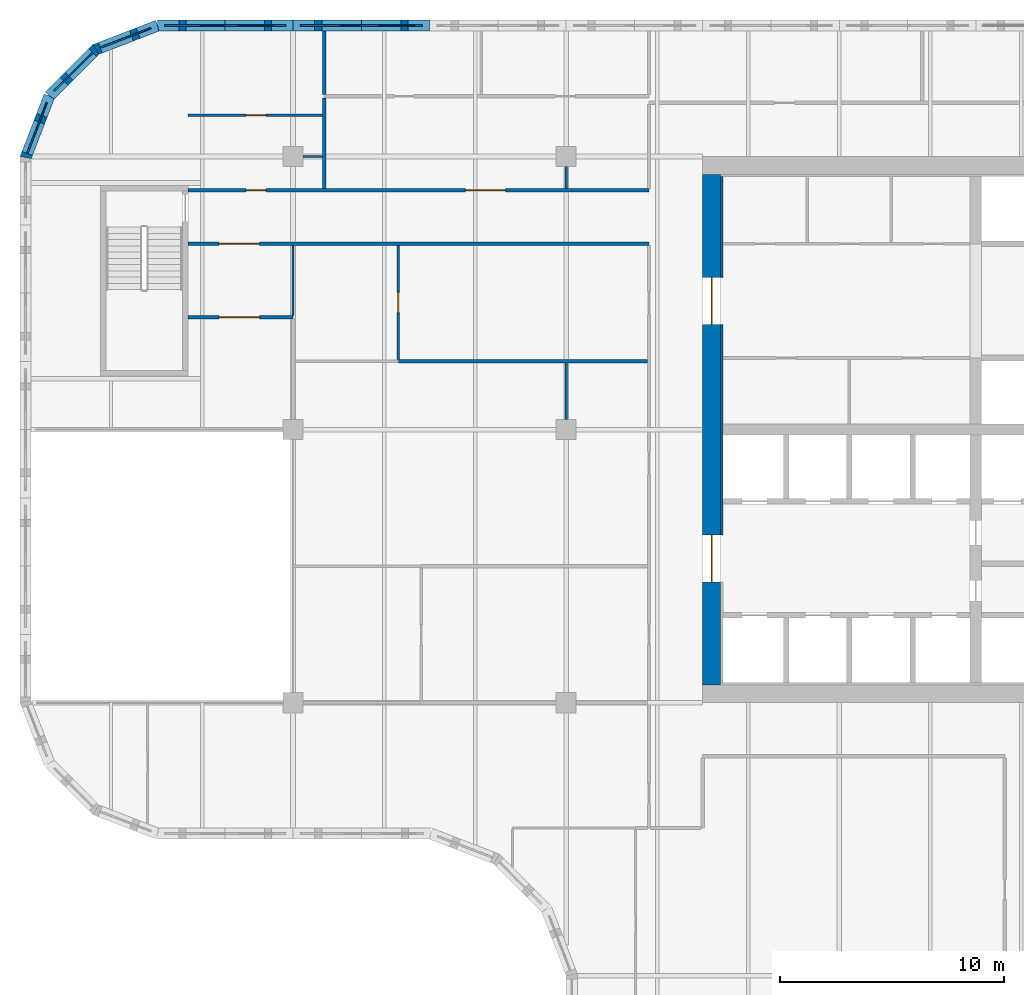
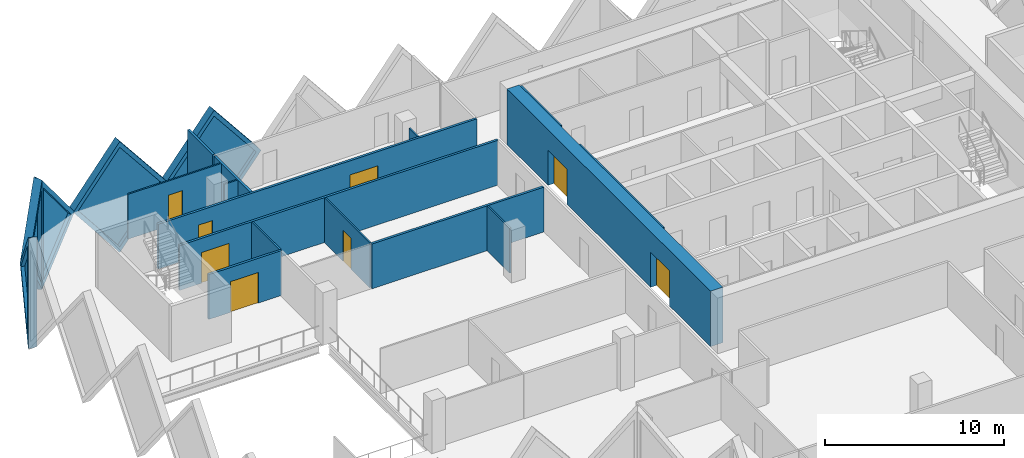
# One storey, part 8 of 19: 20 walls, 8 doors, 5 plates, 13 openings.
"""IFC4 building model written with IfcOpenShell, lengths in metres."""

from ifc_helpers import new_model, si_unit, direction, frame, frame_2d, origin, place, context, subcontext, project, spatial, polyline, rectangle, outline, extrude, faceted_brep, source, transform, mapped, material, layer, layer_set, type_object, element, fill, save


model = new_model("IFC4")

# Units and contexts
model_context = context("Model", 3, precision=1e-05, world=origin(), true_north=direction((0.0, 1.0)))
body_context = subcontext(model_context, "Body", "Model", "MODEL_VIEW")
ifc_project = project(units=[si_unit("LENGTHUNIT", "METRE"), si_unit("AREAUNIT", "SQUARE_METRE"), si_unit("VOLUMEUNIT", "CUBIC_METRE"), si_unit("PLANEANGLEUNIT", "RADIAN"), si_unit("MASSUNIT", "GRAM", prefix="KILO")], contexts=[model_context])

# Site, building, storey
site_placement = place(None, origin())
site = spatial("IfcSite", under=ifc_project, at=site_placement, CompositionType="ELEMENT")
building_placement = place(site_placement, origin())
building = spatial("IfcBuilding", under=site, at=building_placement, Name="Tessera Gate Towers", CompositionType="ELEMENT")
storey_placement = place(building_placement, frame((0.0, 0.0, 80.0)))
storey = spatial("IfcBuildingStorey", under=building, at=storey_placement, Name="L19", CompositionType="ELEMENT", Elevation=80.0)

# Wall, openings, doors
ifc_material_1 = material(Name="Concrete C60/75", Category="concrete")
ifc_layer_1 = layer(ifc_material_1, 0.800048828125)
ifc_layer_set_1 = layer_set([ifc_layer_1], Name="CORE SHEAR WALL 800 C60/75")
wall_type_1 = type_object("IfcWallType", Name="CORE SHEAR WALL 800 C60/75", PredefinedType="SHEAR", material=ifc_layer_set_1)
wall_1_placement = place(storey_placement, frame((30.89990234375, 25.199951171875, 0.0), z_axis=(0.0, 0.0, 1.0), x_axis=(0.0, 1.0, 0.0)))
wall_1 = element("IfcWall", 1, at=wall_1_placement, inside=storey, type_object=wall_type_1, Name="Core wall W L19", PredefinedType="SHEAR", context=body_context, shape_type="SweptSolid", body=[
    extrude(rectangle(XDim=22.800048828125, YDim=0.800048828125, at=frame_2d((11.39990234375, 0.0))), origin(), (0.0, 0.0, 1.0), 3.800048828125),
])
shared_shape_1 = source(origin(), body_context, "Body", "SweptSolid", [
    extrude(rectangle(XDim=2.10009765625, YDim=2.39990234375, at=frame_2d((1.050048828125, 1.199951171875))), frame((0.0, 0.409912109375, 0.0), z_axis=(0.0, -1.0, 0.0), x_axis=(1.0, 0.0, 0.0)), (0.0, 0.0, 1.0), 0.820068359375),
])
opening_1_placement = place(wall_1_placement, frame((4.60009765625, 0.0, 0.0)))
opening_1 = element("IfcOpeningElement", 2, at=opening_1_placement, cuts=wall_1, Name="Opening DD-T1-14-02", PredefinedType="OPENING", context=body_context, shape_type="MappedRepresentation", body=[
    mapped(shared_shape_1, transform((0.0, 0.0, 0.0), scale=1.0)),
])
opening_2_placement = place(wall_1_placement, frame((16.10009765625, 0.0, 0.0)))
opening_2 = element("IfcOpeningElement", 3, at=opening_2_placement, cuts=wall_1, Name="Opening DD-T1-14-03", PredefinedType="OPENING", context=body_context, shape_type="MappedRepresentation", body=[
    mapped(shared_shape_1, transform((0.0, 0.0, 0.0), scale=1.0)),
])
ifc_material_2 = material(Name="Hollow steel fire door", Category="steel")
door_type_1 = type_object("IfcDoorType", Name="CORE DOOR DD 2100x2400", OperationType="NOTDEFINED", PredefinedType="DOOR", material=ifc_material_2)
shared_shape_2 = source(origin(), body_context, "Body", "SweptSolid", [
    extrude(rectangle(XDim=2.10009765625, YDim=2.39990234375, at=frame_2d((1.050048828125, 1.199951171875))), frame((0.0, 0.02490234375, 0.0), z_axis=(0.0, -1.0, 0.0), x_axis=(1.0, 0.0, 0.0)), (0.0, 0.0, 1.0), 0.050048828125),
])
door_1_placement = place(opening_1_placement, origin())
door_1 = element("IfcDoor", 4, at=door_1_placement, inside=storey, type_object=door_type_1, Name="Core entrance door", OperationType="DOUBLE_DOOR_SINGLE_SWING", OverallHeight=2.39990234375, OverallWidth=2.10009765625, PredefinedType="DOOR", context=body_context, shape_type="MappedRepresentation", body=[
    mapped(shared_shape_2, transform((0.0, 0.0, 0.0), scale=1.0)),
])
fill(opening_1, door_1)
door_2_placement = place(opening_2_placement, origin())
door_2 = element("IfcDoor", 5, at=door_2_placement, inside=storey, type_object=door_type_1, Name="Core entrance door", OperationType="DOUBLE_DOOR_SINGLE_SWING", OverallHeight=2.39990234375, OverallWidth=2.10009765625, PredefinedType="DOOR", context=body_context, shape_type="MappedRepresentation", body=[
    mapped(shared_shape_2, transform((0.0, 0.0, 0.0), scale=1.0)),
])
fill(opening_2, door_2)

# Walls
ifc_material_3 = material(Name="Concrete C60/75", Category="concrete")
ifc_layer_2 = layer(ifc_material_3, 0.10009765625)
ifc_layer_set_2 = layer_set([ifc_layer_2], Name="CORE WALL THICKENING 100")
wall_type_2 = type_object("IfcWallType", Name="CORE WALL THICKENING 100", PredefinedType="SOLIDWALL", material=ifc_layer_set_2)
wall_2_placement = place(storey_placement, frame((31.35009765625, 31.89990234375, 0.0), z_axis=(0.0, 0.0, 1.0), x_axis=(0.0, 1.0, 0.0)))
element("IfcWall", 6, at=wall_2_placement, inside=storey, type_object=wall_type_2, Name="Core wall thickening W L19", PredefinedType="SOLIDWALL", context=body_context, shape_type="SweptSolid", body=[
    extrude(rectangle(XDim=9.400146484375, YDim=0.10009765625, at=frame_2d((4.7001953125, 0.0))), origin(), (0.0, 0.0, 1.0), 3.800048828125),
])
wall_3_placement = place(storey_placement, frame((31.35009765625, 43.39990234375, 0.0), z_axis=(0.0, 0.0, 1.0), x_axis=(0.0, 1.0, 0.0)))
element("IfcWall", 7, at=wall_3_placement, inside=storey, type_object=wall_type_2, Name="Core wall thickening W L19", PredefinedType="SOLIDWALL", context=body_context, shape_type="SweptSolid", body=[
    extrude(rectangle(XDim=4.5, YDim=0.10009765625, at=frame_2d((2.25, 0.0))), origin(), (0.0, 0.0, 1.0), 3.800048828125),
])

# Wall, opening, door
ifc_material_4 = material(Name="Gypsum board on steel studs, mineral wool", Category="steel")
ifc_layer_3 = layer(ifc_material_4, 0.14990234375)
ifc_layer_set_3 = layer_set([ifc_layer_3], Name="CORRIDOR WALL 150")
wall_type_3 = type_object("IfcWallType", Name="CORRIDOR WALL 150", PredefinedType="PARTITIONING", material=ifc_layer_set_3)
wall_4_placement = place(storey_placement, frame((28.10009765625, 44.89990234375, 0.0), z_axis=(0.0, 0.0, 1.0), x_axis=(-1.0, 0.0, 0.0)))
wall_4 = element("IfcWall", 8, at=wall_4_placement, inside=storey, type_object=wall_type_3, Name="T1-L19-PW-039", PredefinedType="PARTITIONING", context=body_context, shape_type="SweptSolid", body=[
    extrude(rectangle(XDim=20.60009765625, YDim=0.14990234375, at=frame_2d((10.300048828125, 0.0))), origin(), (0.0, 0.0, 1.0), 3.06689453125),
])
shared_shape_3 = source(origin(), body_context, "Body", "SweptSolid", [
    extrude(rectangle(XDim=1.800048828125, YDim=2.10009765625, at=frame_2d((0.89990234375, 1.050048828125))), frame((0.0, 0.0849609375, 0.0), z_axis=(0.0, -1.0, 0.0), x_axis=(1.0, 0.0, 0.0)), (0.0, 0.0, 1.0), 0.169921875),
])
opening_3_placement = place(wall_4_placement, frame((17.39990234375, 0.0, 0.0)))
opening_3 = element("IfcOpeningElement", 9, at=opening_3_placement, cuts=wall_4, Name="Opening D2180FD60-A07-01", PredefinedType="OPENING", context=body_context, shape_type="MappedRepresentation", body=[
    mapped(shared_shape_3, transform((0.0, 0.0, 0.0), scale=1.0)),
])
ifc_material_5 = material(Name="Timber door leaf in steel frame", Category="steel")
door_type_2 = type_object("IfcDoorType", Name="TENANCY ENTRANCE DOUBLE DOOR 1800 FD60", OperationType="NOTDEFINED", PredefinedType="DOOR", material=ifc_material_5)
shared_shape_4 = source(origin(), body_context, "Body", "SweptSolid", [
    extrude(rectangle(XDim=1.800048828125, YDim=2.10009765625, at=frame_2d((0.89990234375, 1.050048828125))), frame((0.0, 0.02490234375, 0.0), z_axis=(0.0, -1.0, 0.0), x_axis=(1.0, 0.0, 0.0)), (0.0, 0.0, 1.0), 0.050048828125),
])
door_3_placement = place(opening_3_placement, origin())
door_3 = element("IfcDoor", 10, at=door_3_placement, inside=storey, type_object=door_type_2, Name="T1-L19-PD-002", OperationType="DOUBLE_DOOR_SINGLE_SWING", OverallHeight=2.10009765625, OverallWidth=1.800048828125, PredefinedType="DOOR", context=body_context, shape_type="MappedRepresentation", body=[
    mapped(shared_shape_4, transform((0.0, 0.0, 0.0), scale=1.0)),
])
fill(opening_3, door_3)

# Wall, openings, doors
wall_5_placement = place(storey_placement, frame((7.5, 47.300048828125, 0.0), z_axis=(0.0, 0.0, 1.0), x_axis=(1.0, 0.0, 0.0)))
wall_5 = element("IfcWall", 11, at=wall_5_placement, inside=storey, type_object=wall_type_3, Name="T1-L19-PW-040", PredefinedType="PARTITIONING", context=body_context, shape_type="SweptSolid", body=[
    extrude(rectangle(XDim=20.60009765625, YDim=0.14990234375, at=frame_2d((10.300048828125, 0.0))), origin(), (0.0, 0.0, 1.0), 3.06689453125),
])
shared_shape_5 = source(origin(), body_context, "Body", "SweptSolid", [
    extrude(rectangle(XDim=0.89990234375, YDim=2.10009765625, at=frame_2d((0.449951171875, 1.050048828125))), frame((0.0, 0.0849609375, 0.0), z_axis=(0.0, -1.0, 0.0), x_axis=(1.0, 0.0, 0.0)), (0.0, 0.0, 1.0), 0.169921875),
])
opening_4_placement = place(wall_5_placement, frame((2.60009765625, 0.0, 0.0)))
opening_4 = element("IfcOpeningElement", 12, at=opening_4_placement, cuts=wall_5, Name="Opening D890FD60-A07-03", PredefinedType="OPENING", context=body_context, shape_type="MappedRepresentation", body=[
    mapped(shared_shape_5, transform((0.0, 0.0, 0.0), scale=1.0)),
])
opening_5_placement = place(wall_5_placement, frame((12.39990234375, 0.0, 0.0)))
opening_5 = element("IfcOpeningElement", 13, at=opening_5_placement, cuts=wall_5, Name="Opening D2180FD60-A07-02", PredefinedType="OPENING", context=body_context, shape_type="MappedRepresentation", body=[
    mapped(shared_shape_3, transform((0.0, 0.0, 0.0), scale=1.0)),
])
ifc_material_6 = material(Name="Timber door leaf in steel frame", Category="steel")
door_type_3 = type_object("IfcDoorType", Name="CORRIDOR DOOR 900 FD60", OperationType="NOTDEFINED", PredefinedType="DOOR", material=ifc_material_6)
shared_shape_6 = source(origin(), body_context, "Body", "SweptSolid", [
    extrude(rectangle(XDim=0.89990234375, YDim=2.10009765625, at=frame_2d((0.449951171875, 1.050048828125))), frame((0.0, 0.02490234375, 0.0), z_axis=(0.0, -1.0, 0.0), x_axis=(1.0, 0.0, 0.0)), (0.0, 0.0, 1.0), 0.050048828125),
])
door_4_placement = place(opening_4_placement, origin())
door_4 = element("IfcDoor", 14, at=door_4_placement, inside=storey, type_object=door_type_3, Name="T1-L19-PD-011", OperationType="SINGLE_SWING_LEFT", OverallHeight=2.10009765625, OverallWidth=0.89990234375, PredefinedType="DOOR", context=body_context, shape_type="MappedRepresentation", body=[
    mapped(shared_shape_6, transform((0.0, 0.0, 0.0), scale=1.0)),
])
fill(opening_4, door_4)
door_5_placement = place(opening_5_placement, origin())
door_5 = element("IfcDoor", 15, at=door_5_placement, inside=storey, type_object=door_type_2, Name="T1-L19-PD-026", OperationType="DOUBLE_DOOR_SINGLE_SWING", OverallHeight=2.10009765625, OverallWidth=1.800048828125, PredefinedType="DOOR", context=body_context, shape_type="MappedRepresentation", body=[
    mapped(shared_shape_4, transform((0.0, 0.0, 0.0), scale=1.0)),
])
fill(opening_5, door_5)

# Wall, opening, door
ifc_material_7 = material(Name="Glass", Category="glass")
ifc_layer_4 = layer(ifc_material_7, 0.10009765625)
ifc_layer_set_4 = layer_set([ifc_layer_4], Name="GLAZED PARTITION 100")
wall_type_4 = type_object("IfcWallType", Name="GLAZED PARTITION 100", PredefinedType="PARTITIONING", material=ifc_layer_set_4)
wall_6_placement = place(storey_placement, frame((16.89990234375, 39.72607421875, 0.0), z_axis=(0.0, 0.0, 1.0), x_axis=(0.0, 1.0, 0.0)))
wall_6 = element("IfcWall", 16, at=wall_6_placement, inside=storey, type_object=wall_type_4, Name="T1-L19-PW-036", PredefinedType="PARTITIONING", context=body_context, shape_type="SweptSolid", body=[
    extrude(rectangle(XDim=5.097900390625, YDim=0.10009765625, at=frame_2d((2.548828125, 0.0))), origin(), (0.0, 0.0, 1.0), 3.06689453125),
])
shared_shape_7 = source(origin(), body_context, "Body", "SweptSolid", [
    extrude(rectangle(XDim=0.89990234375, YDim=2.10009765625, at=frame_2d((0.449951171875, 1.050048828125))), frame((0.0, 0.06005859375, 0.0), z_axis=(0.0, -1.0, 0.0), x_axis=(1.0, 0.0, 0.0)), (0.0, 0.0, 1.0), 0.1201171875),
])
opening_6_placement = place(wall_6_placement, frame((2.10009765625, 0.0, 0.0)))
opening_6 = element("IfcOpeningElement", 17, at=opening_6_placement, cuts=wall_6, Name="Opening D690-A07-01", PredefinedType="OPENING", context=body_context, shape_type="MappedRepresentation", body=[
    mapped(shared_shape_7, transform((0.0, 0.0, 0.0), scale=1.0)),
])
ifc_material_8 = material(Name="Glass in aluminium frame", Category="aluminium")
door_type_4 = type_object("IfcDoorType", Name="GLAZED DOOR 900 NOT RATED", OperationType="NOTDEFINED", PredefinedType="DOOR", material=ifc_material_8)
door_6_placement = place(opening_6_placement, origin())
door_6 = element("IfcDoor", 18, at=door_6_placement, inside=storey, type_object=door_type_4, Name="T1-L19-PD-004", OperationType="SINGLE_SWING_LEFT", OverallHeight=2.10009765625, OverallWidth=0.89990234375, PredefinedType="DOOR", context=body_context, shape_type="MappedRepresentation", body=[
    mapped(shared_shape_6, transform((0.0, 0.0, 0.0), scale=1.0)),
])
fill(opening_6, door_6)

# Wall
wall_7_placement = place(storey_placement, frame((12.199951171875, 41.700927734375, 0.0), z_axis=(0.0, 0.0, 1.0), x_axis=(0.0, 1.0, 0.0)))
element("IfcWall", 19, at=wall_7_placement, inside=storey, type_object=wall_type_4, Name="T1-L19-PW-038", PredefinedType="PARTITIONING", context=body_context, shape_type="SweptSolid", body=[
    extrude(rectangle(XDim=3.123046875, YDim=0.10009765625, at=frame_2d((1.5615234375, 0.0))), origin(), (0.0, 0.0, 1.0), 3.06689453125),
])

# Wall, opening, door
wall_8_placement = place(storey_placement, frame((7.5, 50.64990234375, 0.0), z_axis=(0.0, 0.0, 1.0), x_axis=(1.0, 0.0, 0.0)))
wall_8 = element("IfcWall", 20, at=wall_8_placement, inside=storey, type_object=wall_type_4, Name="T1-L19-PW-045", PredefinedType="PARTITIONING", context=body_context, shape_type="SweptSolid", body=[
    extrude(rectangle(XDim=6.02392578125, YDim=0.10009765625, at=frame_2d((3.011962890625, 0.0))), origin(), (0.0, 0.0, 1.0), 3.06689453125),
])
opening_7_placement = place(wall_8_placement, frame((2.60009765625, 0.0, 0.0)))
opening_7 = element("IfcOpeningElement", 21, at=opening_7_placement, cuts=wall_8, Name="Opening D690-A07-05", PredefinedType="OPENING", context=body_context, shape_type="MappedRepresentation", body=[
    mapped(shared_shape_7, transform((0.0, 0.0, 0.0), scale=1.0)),
])
door_7_placement = place(opening_7_placement, origin())
door_7 = element("IfcDoor", 22, at=door_7_placement, inside=storey, type_object=door_type_4, Name="T1-L19-PD-010", OperationType="SINGLE_SWING_LEFT", OverallHeight=2.10009765625, OverallWidth=0.89990234375, PredefinedType="DOOR", context=body_context, shape_type="MappedRepresentation", body=[
    mapped(shared_shape_6, transform((0.0, 0.0, 0.0), scale=1.0)),
])
fill(opening_7, door_7)

# Walls
ifc_material_9 = material(Name="Gypsum board on steel studs", Category="steel")
ifc_layer_5 = layer(ifc_material_9, 0.10009765625)
ifc_layer_set_5 = layer_set([ifc_layer_5], Name="PARTITION 100")
wall_type_5 = type_object("IfcWallType", Name="PARTITION 100", PredefinedType="PARTITIONING", material=ifc_layer_set_5)
wall_9_placement = place(storey_placement, frame((24.39990234375, 37.050048828125, 0.0), z_axis=(0.0, 0.0, 1.0), x_axis=(0.0, 1.0, 0.0)))
element("IfcWall", 23, at=wall_9_placement, inside=storey, type_object=wall_type_5, Name="T1-L19-PW-033", PredefinedType="PARTITIONING", context=body_context, shape_type="SweptSolid", body=[
    extrude(rectangle(XDim=2.52490234375, YDim=0.10009765625, at=frame_2d((1.262451171875, 0.0))), origin(), (0.0, 0.0, 1.0), 3.06689453125),
])
wall_10_placement = place(storey_placement, frame((24.39990234375, 48.35009765625, 0.0), z_axis=(0.0, 0.0, 1.0), x_axis=(0.0, -1.0, 0.0)))
element("IfcWall", 24, at=wall_10_placement, inside=storey, type_object=wall_type_5, Name="T1-L19-PW-043", PredefinedType="PARTITIONING", context=body_context, shape_type="SweptSolid", body=[
    extrude(rectangle(XDim=0.97509765625, YDim=0.10009765625, at=frame_2d((0.487548828125, 0.0))), origin(), (0.0, 0.0, 1.0), 3.06689453125),
])
wall_11_placement = place(storey_placement, frame((12.64990234375, 48.800048828125, 0.0), z_axis=(0.0, 0.0, 1.0), x_axis=(1.0, 0.0, 0.0)))
element("IfcWall", 25, at=wall_11_placement, inside=storey, type_object=wall_type_5, Name="T1-L19-PW-044", PredefinedType="PARTITIONING", context=body_context, shape_type="SweptSolid", body=[
    extrude(rectangle(XDim=0.875, YDim=0.10009765625, at=frame_2d((0.4375, 0.0))), origin(), (0.0, 0.0, 1.0), 3.06689453125),
])
ifc_material_10 = material(Name="Gypsum board on steel studs, mineral wool", Category="steel")
ifc_layer_6 = layer(ifc_material_10, 0.14990234375)
ifc_layer_set_6 = layer_set([ifc_layer_6], Name="TENANCY WALL 150")
wall_type_6 = type_object("IfcWallType", Name="TENANCY WALL 150", PredefinedType="PARTITIONING", material=ifc_layer_set_6)
wall_12_placement = place(storey_placement, frame((16.89990234375, 39.64990234375, 0.0), z_axis=(0.0, 0.0, 1.0), x_axis=(1.0, 0.0, 0.0)))
element("IfcWall", 26, at=wall_12_placement, inside=storey, type_object=wall_type_6, Name="T1-L19-PW-035", PredefinedType="PARTITIONING", context=body_context, shape_type="SweptSolid", body=[
    extrude(rectangle(XDim=11.1240234375, YDim=0.14990234375, at=frame_2d((5.56201171875, 0.0))), origin(), (0.0, 0.0, 1.0), 3.06689453125),
])

# Wall, opening, door
wall_13_placement = place(storey_placement, frame((12.199951171875, 41.625, 0.0), z_axis=(0.0, 0.0, 1.0), x_axis=(-1.0, 0.0, 0.0)))
wall_13 = element("IfcWall", 27, at=wall_13_placement, inside=storey, type_object=wall_type_6, Name="T1-L19-PW-037", PredefinedType="PARTITIONING", context=body_context, shape_type="SweptSolid", body=[
    extrude(rectangle(XDim=4.699951171875, YDim=0.14990234375, at=frame_2d((2.35009765625, 0.0))), origin(), (0.0, 0.0, 1.0), 3.06689453125),
])
opening_8_placement = place(wall_13_placement, frame((1.5, 0.0, 0.0)))
opening_8 = element("IfcOpeningElement", 28, at=opening_8_placement, cuts=wall_13, Name="Opening D7180-A07-01", PredefinedType="OPENING", context=body_context, shape_type="MappedRepresentation", body=[
    mapped(shared_shape_3, transform((0.0, 0.0, 0.0), scale=1.0)),
])
ifc_material_11 = material(Name="Timber door leaf in steel frame", Category="steel")
door_type_5 = type_object("IfcDoorType", Name="DOUBLE DOOR 1800 NOT RATED", OperationType="NOTDEFINED", PredefinedType="DOOR", material=ifc_material_11)
door_8_placement = place(opening_8_placement, origin())
door_8 = element("IfcDoor", 29, at=door_8_placement, inside=storey, type_object=door_type_5, Name="T1-L19-PD-003", OperationType="DOUBLE_DOOR_SINGLE_SWING", OverallHeight=2.10009765625, OverallWidth=1.800048828125, PredefinedType="DOOR", context=body_context, shape_type="MappedRepresentation", body=[
    mapped(shared_shape_4, transform((0.0, 0.0, 0.0), scale=1.0)),
])
fill(opening_8, door_8)

# Walls
wall_14_placement = place(storey_placement, frame((13.60009765625, 47.3759765625, 0.0), z_axis=(0.0, 0.0, 1.0), x_axis=(0.0, 1.0, 0.0)))
element("IfcWall", 30, at=wall_14_placement, inside=storey, type_object=wall_type_6, Name="T1-L19-PW-041", PredefinedType="PARTITIONING", context=body_context, shape_type="SweptSolid", body=[
    extrude(rectangle(XDim=4.048095703125, YDim=0.14990234375, at=frame_2d((2.02392578125, 0.0))), origin(), (0.0, 0.0, 1.0), 3.06689453125),
])
wall_15_placement = place(storey_placement, frame((13.60009765625, 51.575927734375, 0.0), z_axis=(0.0, 0.0, 1.0), x_axis=(0.0, 1.0, 0.0)))
element("IfcWall", 31, at=wall_15_placement, inside=storey, type_object=wall_type_6, Name="T1-L19-PW-050", PredefinedType="PARTITIONING", context=body_context, shape_type="SweptSolid", body=[
    extrude(rectangle(XDim=2.823974609375, YDim=0.14990234375, at=frame_2d((1.412109375, 0.0))), origin(), (0.0, 0.0, 1.0), 3.06689453125),
])

# Wall, opening, plate
ifc_material_12 = material(Name="Precast concrete C60/75 white", Category="concrete")
ifc_layer_7 = layer(ifc_material_12, 0.5)
ifc_layer_set_7 = layer_set([ifc_layer_7], Name="TS1 tessera")
wall_type_7 = type_object("IfcWallType", Name="TS1 tessera", PredefinedType="SOLIDWALL", material=ifc_layer_set_7)
shared_shape_8 = source(origin(), body_context, "Body", "SweptSolid", [
    extrude(outline(polyline([(3.050048828125, 0.0), (6.10009765625, 3.800048828125), (3.050048828125, 7.60009765625), (0.0, 3.800048828125), (3.050048828125, 0.0)])), frame((0.0, 0.25, 0.0), z_axis=(0.0, -1.0, 0.0), x_axis=(1.0, 0.0, 0.0)), (0.0, 0.0, 1.0), 0.5),
])
wall_16_placement = place(storey_placement, frame((18.300048828125, 54.64990234375, -3.800048828125), z_axis=(0.0, 0.0, 1.0), x_axis=(-1.0, 0.0, 0.0)))
wall_16 = element("IfcWall", 32, at=wall_16_placement, inside=storey, type_object=wall_type_7, Name="Precast tessera T1 TS1-0292", PredefinedType="SOLIDWALL", context=body_context, shape_type="MappedRepresentation", body=[
    mapped(shared_shape_8, transform((0.0, 0.0, 0.0), scale=1.0)),
])
shared_shape_9 = source(origin(), body_context, "Body", "SweptSolid", [
    extrude(outline(polyline([(3.050048828125, 0.3994140625), (5.779541015625, 3.800048828125), (3.050048828125, 7.20068359375), (0.320556640625, 3.800048828125), (3.050048828125, 0.3994140625)])), frame((0.0, 0.260009765625, 0.0), z_axis=(0.0, -1.0, 0.0), x_axis=(1.0, 0.0, 0.0)), (0.0, 0.0, 1.0), 0.52001953125),
])
opening_9_placement = place(wall_16_placement, origin())
opening_9 = element("IfcOpeningElement", 33, at=opening_9_placement, cuts=wall_16, Name="Opening T1-PL2-0588", PredefinedType="OPENING", context=body_context, shape_type="MappedRepresentation", body=[
    mapped(shared_shape_9, transform((0.0, 0.0, 0.0), scale=1.0)),
])
ifc_material_13 = material(Name="Low-e laminated glass", Category="glass")
ifc_layer_8 = layer(ifc_material_13, 0.06005859375)
ifc_layer_set_8 = layer_set([ifc_layer_8], Name="PL2 rhombic pane")
plate_type = type_object("IfcPlateType", Name="PL2 rhombic pane", PredefinedType="SHEET", material=ifc_layer_set_8)
shared_shape_10 = source(origin(), body_context, "Body", "SweptSolid", [
    extrude(outline(polyline([(3.050048828125, 0.3994140625), (5.779541015625, 3.800048828125), (3.050048828125, 7.20068359375), (0.320556640625, 3.800048828125), (3.050048828125, 0.3994140625)])), frame((0.0, 0.030029296875, 0.0), z_axis=(0.0, -1.0, 0.0), x_axis=(1.0, 0.0, 0.0)), (0.0, 0.0, 1.0), 0.06005859375),
])
plate_1_placement = place(opening_9_placement, origin())
plate_1 = element("IfcPlate", 34, at=plate_1_placement, inside=storey, type_object=plate_type, Name="Glass pane T1 PL2-0588", PredefinedType="SHEET", context=body_context, shape_type="MappedRepresentation", body=[
    mapped(shared_shape_10, transform((0.0, 0.0, 0.0), scale=1.0)),
])
fill(opening_9, plate_1)

shared_shape_11 = source(origin(), body_context, "Body", "Brep", [
    faceted_brep([(3.050048828125, -0.25, 0.0), (6.053466796875, -0.25, 3.800048828125), (3.050048828125, -0.25, 7.60009765625), (0.0, -0.25, 3.800048828125), (0.0, 0.25, 3.800048828125), (3.050048828125, 0.25, 7.60009765625), (6.0068359375, 0.25, 3.85888671875), (6.0068359375, 0.25, 3.7412109375), (3.050048828125, 0.25, 0.0), (6.053466796875, 0.0, 3.800048828125)], [[[0, 1, 2, 3]], [[4, 5, 6, 7, 8]], [[8, 7, 9, 1, 0]], [[6, 5, 2, 1, 9]], [[5, 4, 3, 2]], [[4, 8, 0, 3]], [[9, 7, 6]]]),
])
wall_17_placement = place(storey_placement, frame((12.199951171875, 54.64990234375, -3.800048828125), z_axis=(0.0, 0.0, 1.0), x_axis=(-1.0, 0.0, 0.0)))
wall_17 = element("IfcWall", 35, at=wall_17_placement, inside=storey, type_object=wall_type_7, Name="Precast tessera T1 TS1-0293", PredefinedType="SOLIDWALL", context=body_context, shape_type="MappedRepresentation", body=[
    mapped(shared_shape_11, transform((0.0, 0.0, 0.0), scale=1.0)),
])
shared_shape_12 = source(origin(), body_context, "Body", "SweptSolid", [
    extrude(outline(polyline([(3.048583984375, 0.4013671875), (5.73486328125, 3.800048828125), (3.048583984375, 7.19873046875), (0.320556640625, 3.800048828125), (3.048583984375, 0.4013671875)])), frame((0.0, 0.260009765625, 0.0), z_axis=(0.0, -1.0, 0.0), x_axis=(1.0, 0.0, 0.0)), (0.0, 0.0, 1.0), 0.52001953125),
])
opening_10_placement = place(wall_17_placement, origin())
opening_10 = element("IfcOpeningElement", 36, at=opening_10_placement, cuts=wall_17, Name="Opening T1-PL2-0589", PredefinedType="OPENING", context=body_context, shape_type="MappedRepresentation", body=[
    mapped(shared_shape_12, transform((0.0, 0.0, 0.0), scale=1.0)),
])
shared_shape_13 = source(origin(), body_context, "Body", "SweptSolid", [
    extrude(outline(polyline([(3.048583984375, 0.4013671875), (5.73486328125, 3.800048828125), (3.048583984375, 7.19873046875), (0.320556640625, 3.800048828125), (3.048583984375, 0.4013671875)])), frame((0.0, 0.030029296875, 0.0), z_axis=(0.0, -1.0, 0.0), x_axis=(1.0, 0.0, 0.0)), (0.0, 0.0, 1.0), 0.06005859375),
])
plate_2_placement = place(opening_10_placement, origin())
plate_2 = element("IfcPlate", 37, at=plate_2_placement, inside=storey, type_object=plate_type, Name="Glass pane T1 PL2-0589", PredefinedType="SHEET", context=body_context, shape_type="MappedRepresentation", body=[
    mapped(shared_shape_13, transform((0.0, 0.0, 0.0), scale=1.0)),
])
fill(opening_10, plate_2)

ifc_material_14 = material(Name="Precast concrete C60/75 white", Category="concrete")
ifc_layer_9 = layer(ifc_material_14, 0.5)
ifc_layer_set_9 = layer_set([ifc_layer_9], Name="TS3 corner tessera")
wall_type_8 = type_object("IfcWallType", Name="TS3 corner tessera", PredefinedType="SOLIDWALL", material=ifc_layer_set_9)
shared_shape_14 = source(origin(), body_context, "Body", "Brep", [
    faceted_brep([(2.950439453125, -0.25, 0.0), (3.00341796875, -0.25, 0.068359375), (3.00341796875, -0.25, 7.53173828125), (2.950439453125, -0.25, 7.60009765625), (0.0, -0.25, 3.800048828125), (0.046630859375, 0.25, 3.860107421875), (2.897705078125, 0.25, 7.531982421875), (2.897705078125, 0.25, 0.068115234375), (0.046630859375, 0.25, 3.739990234375), (2.950439453125, 0.00048828125, 0.0), (2.950439453125, 0.00048828125, 7.60009765625), (0.0, 0.0, 3.800048828125)], [[[0, 1, 2, 3, 4]], [[5, 6, 7, 8]], [[1, 0, 9]], [[10, 3, 2]], [[6, 5, 11, 4, 3, 10]], [[8, 7, 9, 0, 4, 11]], [[8, 11, 5]], [[1, 9, 7, 6, 10, 2]]]),
])
wall_18_placement = place(storey_placement, frame((6.146484375, 54.64990234375, -3.800048828125), z_axis=(0.0, 0.0, 1.0), x_axis=(-0.932997369089, -0.359883188373, 0.0)))
wall_18 = element("IfcWall", 38, at=wall_18_placement, inside=storey, type_object=wall_type_8, Name="Precast corner tessera T1 TS3-0417", PredefinedType="SOLIDWALL", context=body_context, shape_type="MappedRepresentation", body=[
    mapped(shared_shape_14, transform((0.0, 0.0, 0.0), scale=1.0)),
])
shared_shape_15 = source(origin(), body_context, "Body", "SweptSolid", [
    extrude(outline(polyline([(2.75048828125, 6.934814453125), (0.31640625, 3.800048828125), (2.75048828125, 0.665283203125), (2.75048828125, 6.934814453125)])), frame((0.0, 0.260009765625, 0.0), z_axis=(0.0, -1.0, 0.0), x_axis=(1.0, 0.0, 0.0)), (0.0, 0.0, 1.0), 0.52001953125),
])
opening_11_placement = place(wall_18_placement, origin())
opening_11 = element("IfcOpeningElement", 39, at=opening_11_placement, cuts=wall_18, Name="Opening T1-PL2-0590", PredefinedType="OPENING", context=body_context, shape_type="MappedRepresentation", body=[
    mapped(shared_shape_15, transform((0.0, 0.0, 0.0), scale=1.0)),
])
shared_shape_16 = source(origin(), body_context, "Body", "SweptSolid", [
    extrude(outline(polyline([(2.75048828125, 6.934814453125), (0.31640625, 3.800048828125), (2.75048828125, 0.665283203125), (2.75048828125, 6.934814453125)])), frame((0.0, 0.030029296875, 0.0), z_axis=(0.0, -1.0, 0.0), x_axis=(1.0, 0.0, 0.0)), (0.0, 0.0, 1.0), 0.06005859375),
])
plate_3_placement = place(opening_11_placement, origin())
plate_3 = element("IfcPlate", 40, at=plate_3_placement, inside=storey, type_object=plate_type, Name="Glass pane T1 PL2-0590", PredefinedType="SHEET", context=body_context, shape_type="MappedRepresentation", body=[
    mapped(shared_shape_16, transform((0.0, 0.0, 0.0), scale=1.0)),
])
fill(opening_11, plate_3)

shared_shape_17 = source(origin(), body_context, "Body", "Brep", [
    faceted_brep([(0.052978515625, -0.25, 0.0), (2.9970703125, -0.25, 3.800048828125), (0.052978515625, -0.25, 7.60009765625), (0.0, -0.25, 7.531982421875), (0.0, -0.25, 0.068115234375), (0.10595703125, 0.25, 7.53173828125), (2.944091796875, 0.25, 3.8681640625), (2.944091796875, 0.25, 3.73193359375), (0.10595703125, 0.25, 0.068359375), (2.9970703125, 0.000244140625, 3.800048828125), (0.052978515625, 0.0, 0.0), (0.052978515625, 0.0, 7.60009765625)], [[[0, 1, 2, 3, 4]], [[5, 6, 7, 8]], [[8, 7, 9, 1, 0, 10]], [[6, 5, 11, 2, 1, 9]], [[3, 2, 11]], [[10, 0, 4]], [[8, 10, 4, 3, 11, 5]], [[9, 7, 6]]]),
])
wall_19_placement = place(storey_placement, frame((3.43115234375, 53.62548828125, -3.800048828125), z_axis=(0.0, 0.0, 1.0), x_axis=(-0.707106781187, -0.707106781187, 0.0)))
wall_19 = element("IfcWall", 41, at=wall_19_placement, inside=storey, type_object=wall_type_8, Name="Precast corner tessera T1 TS3-0418", PredefinedType="SOLIDWALL", context=body_context, shape_type="MappedRepresentation", body=[
    mapped(shared_shape_17, transform((0.0, 0.0, 0.0), scale=1.0)),
])
shared_shape_18 = source(origin(), body_context, "Body", "SweptSolid", [
    extrude(outline(polyline([(0.2529296875, 0.666259765625), (2.680908203125, 3.800048828125), (0.2529296875, 6.933837890625), (0.2529296875, 0.666259765625)])), frame((0.0, 0.260009765625, 0.0), z_axis=(0.0, -1.0, 0.0), x_axis=(1.0, 0.0, 0.0)), (0.0, 0.0, 1.0), 0.52001953125),
])
opening_12_placement = place(wall_19_placement, origin())
opening_12 = element("IfcOpeningElement", 42, at=opening_12_placement, cuts=wall_19, Name="Opening T1-PL2-0591", PredefinedType="OPENING", context=body_context, shape_type="MappedRepresentation", body=[
    mapped(shared_shape_18, transform((0.0, 0.0, 0.0), scale=1.0)),
])
shared_shape_19 = source(origin(), body_context, "Body", "SweptSolid", [
    extrude(outline(polyline([(0.2529296875, 0.666259765625), (2.680908203125, 3.800048828125), (0.2529296875, 6.933837890625), (0.2529296875, 0.666259765625)])), frame((0.0, 0.030029296875, 0.0), z_axis=(0.0, -1.0, 0.0), x_axis=(1.0, 0.0, 0.0)), (0.0, 0.0, 1.0), 0.06005859375),
])
plate_4_placement = place(opening_12_placement, origin())
plate_4 = element("IfcPlate", 43, at=plate_4_placement, inside=storey, type_object=plate_type, Name="Glass pane T1 PL2-0591", PredefinedType="SHEET", context=body_context, shape_type="MappedRepresentation", body=[
    mapped(shared_shape_19, transform((0.0, 0.0, 0.0), scale=1.0)),
])
fill(opening_12, plate_4)

shared_shape_20 = source(origin(), body_context, "Body", "Brep", [
    faceted_brep([(2.950439453125, -0.25, 0.0), (2.9970703125, -0.25, 0.05908203125), (2.9970703125, -0.25, 7.541015625), (2.950439453125, -0.25, 7.60009765625), (0.0, -0.25, 3.800048828125), (0.052978515625, 0.25, 3.8681640625), (2.904052734375, 0.25, 7.540283203125), (2.904052734375, 0.25, 0.059814453125), (0.052978515625, 0.25, 3.73193359375), (2.950439453125, 0.00048828125, 0.0), (2.950439453125, 0.00048828125, 7.60009765625), (0.0, 0.0, 3.800048828125)], [[[0, 1, 2, 3, 4]], [[5, 6, 7, 8]], [[1, 0, 9]], [[10, 3, 2]], [[6, 5, 11, 4, 3, 10]], [[8, 7, 9, 0, 4, 11]], [[8, 11, 5]], [[1, 9, 7, 6, 10, 2]]]),
])
wall_20_placement = place(storey_placement, frame((1.31201171875, 51.50634765625, -3.800048828125), z_axis=(0.0, 0.0, 1.0), x_axis=(-0.359944998003, -0.932973525033, 0.0)))
wall_20 = element("IfcWall", 44, at=wall_20_placement, inside=storey, type_object=wall_type_8, Name="Precast corner tessera T1 TS3-0419", PredefinedType="SOLIDWALL", context=body_context, shape_type="MappedRepresentation", body=[
    mapped(shared_shape_20, transform((0.0, 0.0, 0.0), scale=1.0)),
])
opening_13_placement = place(wall_20_placement, origin())
opening_13 = element("IfcOpeningElement", 45, at=opening_13_placement, cuts=wall_20, Name="Opening T1-PL2-0592", PredefinedType="OPENING", context=body_context, shape_type="MappedRepresentation", body=[
    mapped(shared_shape_15, transform((0.0, 0.0, 0.0), scale=1.0)),
])
plate_5_placement = place(opening_13_placement, origin())
plate_5 = element("IfcPlate", 46, at=plate_5_placement, inside=storey, type_object=plate_type, Name="Glass pane T1 PL2-0592", PredefinedType="SHEET", context=body_context, shape_type="MappedRepresentation", body=[
    mapped(shared_shape_16, transform((0.0, 0.0, 0.0), scale=1.0)),
])
fill(opening_13, plate_5)

save(model, "model.ifc")
